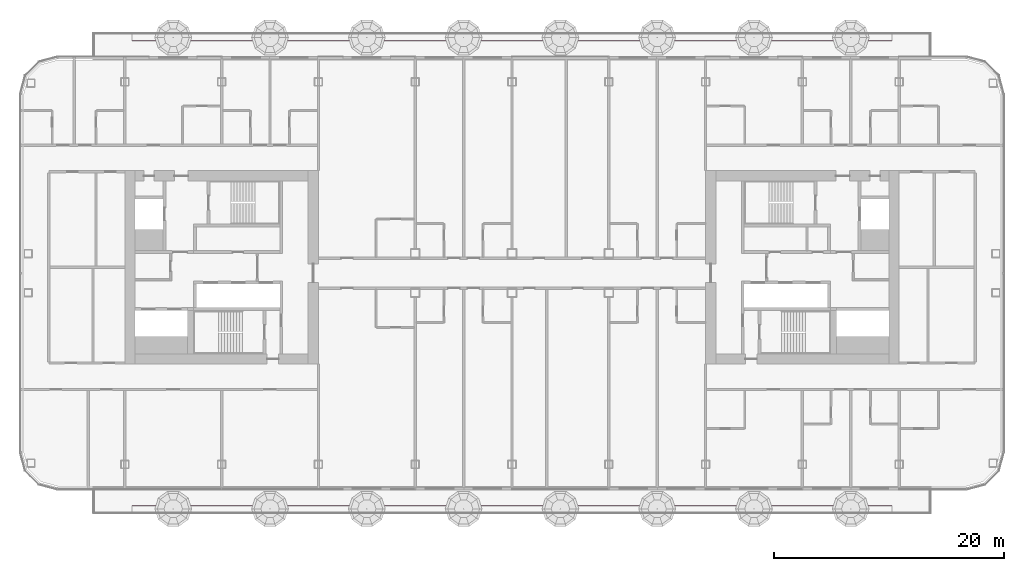
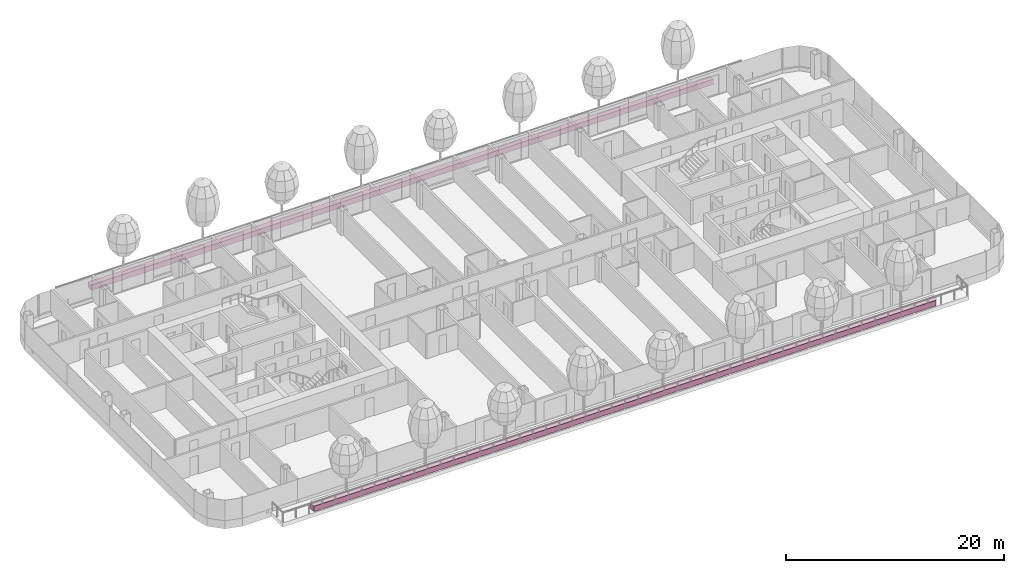
# One storey, part 26 of 30: 2 furniture elements.
"""IFC4 building model written with IfcOpenShell, lengths in metres."""

from ifc_helpers import new_model, si_unit, direction, frame, origin, origin_2d, place, context, subcontext, project, spatial, rectangle, extrude, material, type_object, element, save


model = new_model("IFC4")

# Units and contexts
model_context = context("Model", 3, precision=1e-05, world=origin(), true_north=direction((0.0, 1.0)))
body_context = subcontext(model_context, "Body", "Model", "MODEL_VIEW")
ifc_project = project(units=[si_unit("LENGTHUNIT", "METRE"), si_unit("AREAUNIT", "SQUARE_METRE"), si_unit("VOLUMEUNIT", "CUBIC_METRE"), si_unit("PLANEANGLEUNIT", "RADIAN"), si_unit("MASSUNIT", "GRAM", prefix="KILO")], contexts=[model_context])

# Site, building, storey
site_placement = place(None, origin())
site = spatial("IfcSite", under=ifc_project, at=site_placement, CompositionType="ELEMENT")
building_placement = place(site_placement, origin())
building = spatial("IfcBuilding", under=site, at=building_placement, Name="Hakoniwa Tower and Hamabe Station Hall", CompositionType="ELEMENT")
storey_placement = place(building_placement, frame((0.0, 0.0, 137.39990234375)))
storey = spatial("IfcBuildingStorey", under=building, at=storey_placement, Name="L38", CompositionType="ELEMENT", Elevation=137.39990234375)

# Furniture
ifc_material = material(Name="Aluminium 6063-T5 black anodised trough with lightweight soil", Category="aluminium")
furniture_type = type_object("IfcFurnitureType", Name="Planter 600x600", AssemblyPlace="SITE", PredefinedType="USERDEFINED", material=ifc_material)
for number, where, z_axis, x_axis, name in (
    (1, (0.0, 19.949951171875, 0.0), (0.0, 0.0, 1.0), (1.0, 0.0, 0.0), "Planter 600x600"),
    (2, (0.0, -20.949951171875, 0.0), (0.0, 0.0, 1.0), (1.0, 0.0, 0.0), "Planter 600x600"),
):
    element("IfcFurniture", number, at=place(storey_placement, frame(where, z_axis=z_axis, x_axis=x_axis)), inside=storey, type_object=furniture_type, Name=name, ObjectType="PLANTER", PredefinedType="USERDEFINED", context=body_context, shape_type="SweptSolid", body=[
        extrude(rectangle(XDim=66.0, YDim=0.60009765625, at=origin_2d()), origin(), (0.0, 0.0, 1.0), 0.60009765625),
    ])

save(model, "model.ifc")
